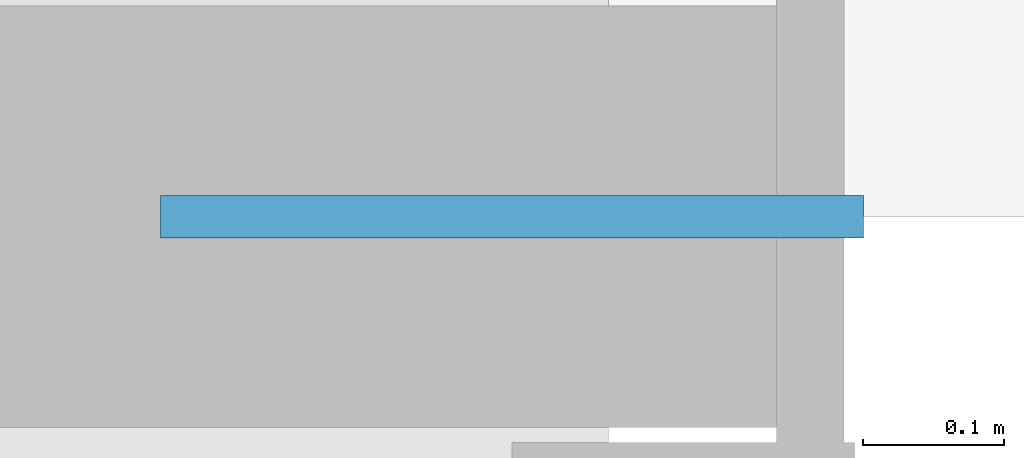
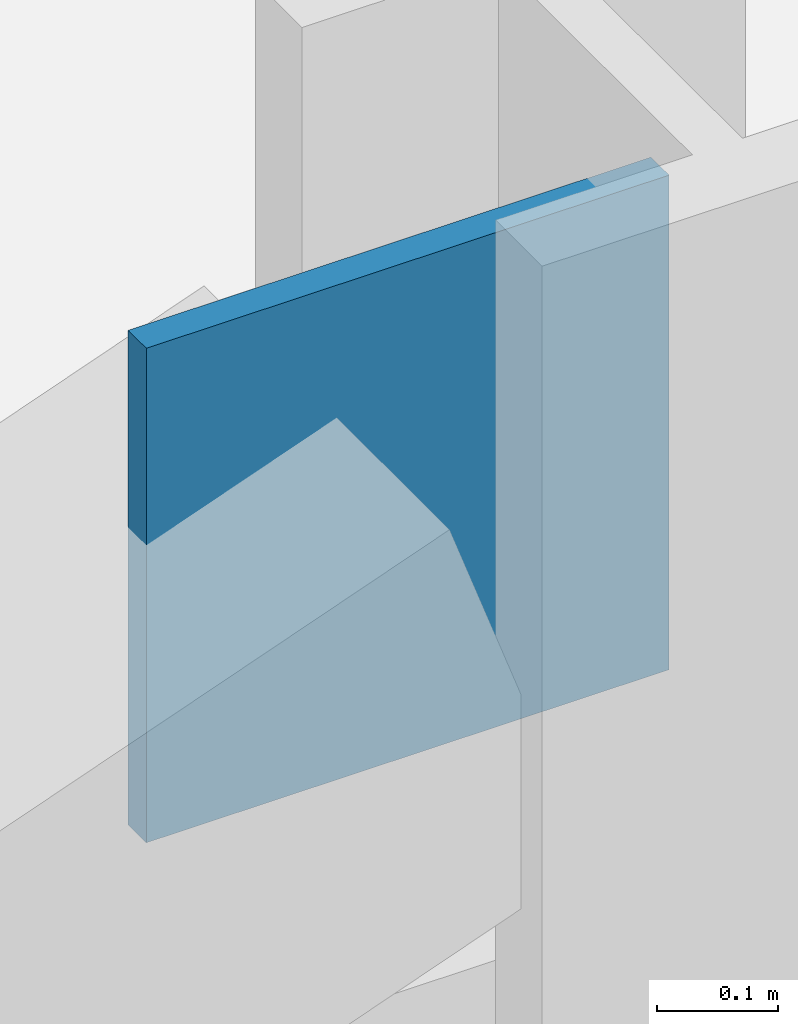
# One storey, part 20 of 29: 1 discrete accessory.
"""IFC4 building model written with IfcOpenShell, lengths in metres."""

from ifc_helpers import new_model, si_unit, direction, frame, origin, origin_2d, place, context, subcontext, project, spatial, rectangle, extrude, material, layer, layer_set, type_object, element, save


model = new_model("IFC4")

# Units and contexts
model_context = context("Model", 3, precision=1e-05, world=origin(), true_north=direction((0.0, 1.0)))
body_context = subcontext(model_context, "Body", "Model", "MODEL_VIEW")
ifc_project = project(units=[si_unit("LENGTHUNIT", "METRE"), si_unit("AREAUNIT", "SQUARE_METRE"), si_unit("VOLUMEUNIT", "CUBIC_METRE"), si_unit("PLANEANGLEUNIT", "RADIAN"), si_unit("MASSUNIT", "GRAM", prefix="KILO")], contexts=[model_context])

# Site, building, storey
site_placement = place(None, origin())
site = spatial("IfcSite", under=ifc_project, at=site_placement, CompositionType="ELEMENT")
building_placement = place(site_placement, origin())
building = spatial("IfcBuilding", under=site, at=building_placement, Name="Mahtab Terrace Research Tower", CompositionType="ELEMENT")
storey_placement = place(building_placement, frame((0.0, 0.0, 71.800048828125)))
storey = spatial("IfcBuildingStorey", under=building, at=storey_placement, Name="L16", CompositionType="ELEMENT", Elevation=71.800048828125)

# Discrete accessory
ifc_material = material(Name="Steel ASTM A992 Gr 50", Category="steel")
ifc_layer = layer(ifc_material, 0.030029296875)
ifc_layer_set = layer_set([ifc_layer], Name="Gusset plate 500x500x30")
discrete_accessory_type = type_object("IfcDiscreteAccessoryType", Name="Gusset plate 500x500x30", PredefinedType="USERDEFINED", material=ifc_layer_set)
discrete_accessory_placement = place(storey_placement, frame((17.787841796875, -23.0, 3.32958984375), z_axis=(0.0, 0.0, 1.0), x_axis=(1.0, 0.0, 0.0)))
element("IfcDiscreteAccessory", 1, at=discrete_accessory_placement, inside=storey, type_object=discrete_accessory_type, Name="Gusset plate", ObjectType="GUSSET PLATE", PredefinedType="USERDEFINED", context=body_context, shape_type="SweptSolid", body=[
    extrude(rectangle(XDim=0.5, YDim=0.030029296875, at=origin_2d()), origin(), (0.0, 0.0, 1.0), 0.5),
])

save(model, "model.ifc")
